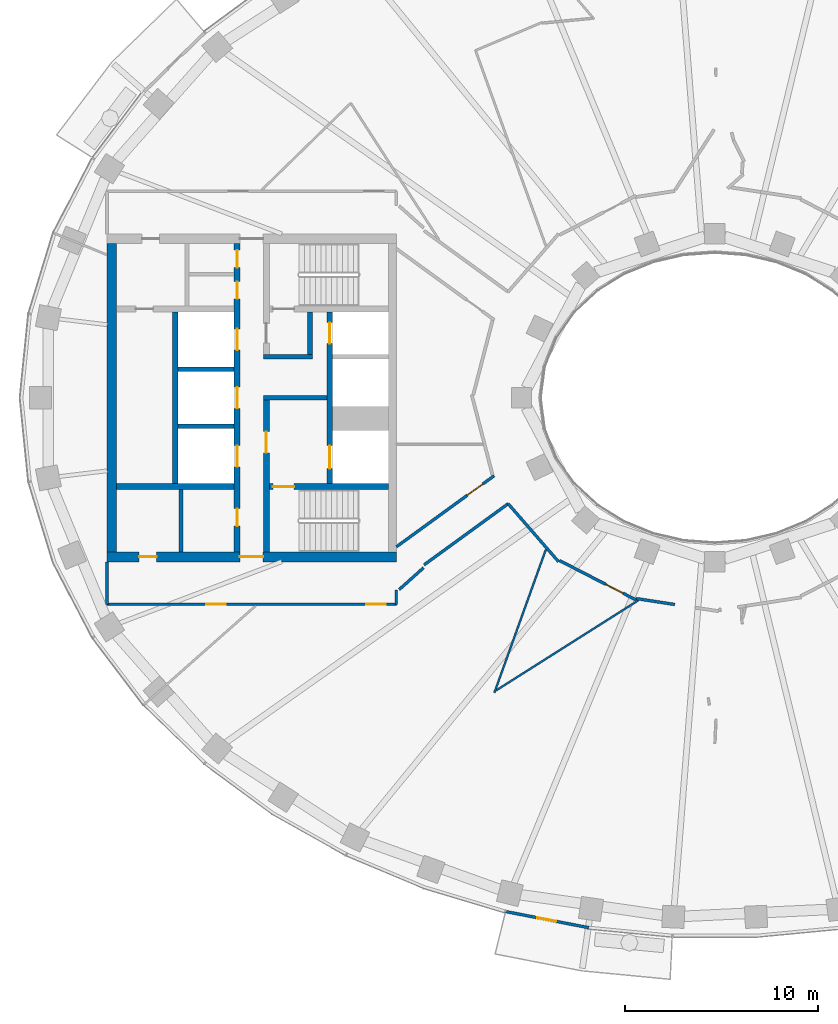
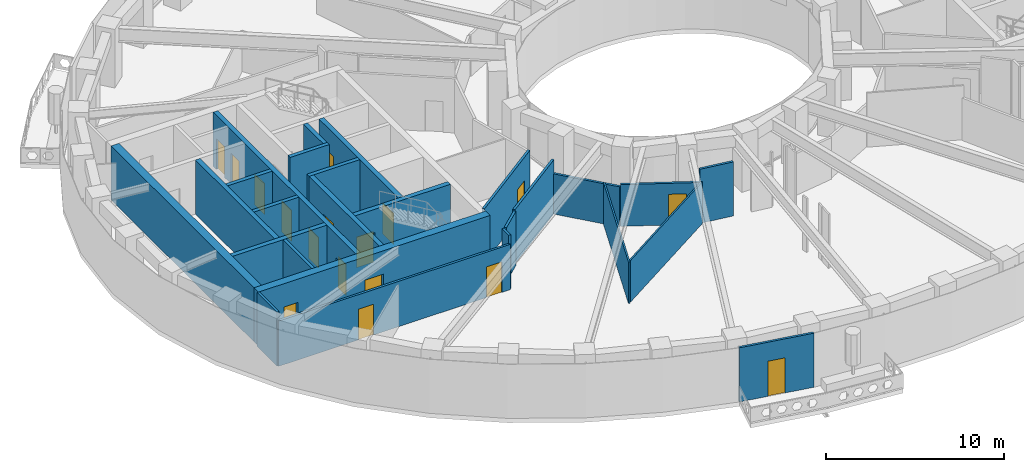
# One storey, part 3 of 17: 26 walls, 17 doors, 17 openings.
"""IFC4 building model written with IfcOpenShell, lengths in metres."""

from ifc_helpers import new_model, si_unit, direction, frame, frame_2d, origin, place, context, subcontext, project, spatial, rectangle, extrude, material, layer, layer_set, type_object, element, fill, save


model = new_model("IFC4")

# Units and contexts
model_context = context("Model", 3, precision=1e-05, world=origin(), true_north=direction((0.0, 1.0)))
body_context = subcontext(model_context, "Body", "Model", "MODEL_VIEW")
ifc_project = project(units=[si_unit("LENGTHUNIT", "METRE"), si_unit("AREAUNIT", "SQUARE_METRE"), si_unit("VOLUMEUNIT", "CUBIC_METRE"), si_unit("PLANEANGLEUNIT", "RADIAN"), si_unit("MASSUNIT", "GRAM", prefix="KILO")], contexts=[model_context])

# Site, building, storey
site_placement = place(None, origin())
site = spatial("IfcSite", under=ifc_project, at=site_placement, CompositionType="ELEMENT")
building_placement = place(site_placement, origin())
building = spatial("IfcBuilding", under=site, at=building_placement, Name="Noorbagh Ring Tower", CompositionType="ELEMENT")
storey_placement = place(building_placement, frame((0.0, 0.0, 190.0)))
storey = spatial("IfcBuildingStorey", under=building, at=storey_placement, Name="L44", CompositionType="ELEMENT", Elevation=190.0)

# Walls
ifc_material_1 = material(Name="Gypsum board on steel studs", Category="steel")
ifc_layer_1 = layer(ifc_material_1, 0.199951171875)
ifc_layer_set_1 = layer_set([ifc_layer_1], Name="Gypsum board on steel studs")
wall_type_1 = type_object("IfcWallType", Name="CORE-PARTITION-200", PredefinedType="PARTITIONING", material=ifc_layer_set_1)
wall_1_placement = place(storey_placement, frame((-27.64990234375, -8.0, 0.0), z_axis=(0.0, 0.0, 1.0), x_axis=(0.0, 1.0, 0.0)))
element("IfcWall", 1, at=wall_1_placement, inside=storey, type_object=wall_type_1, Name="Core partition W", PredefinedType="PARTITIONING", context=body_context, shape_type="SweptSolid", body=[
    extrude(rectangle(XDim=3.25, YDim=0.199951171875, at=frame_2d((1.625, 0.0))), origin(), (0.0, 0.0, 1.0), 3.699951171875),
])
ifc_material_2 = material(Name="Concrete C60/75", Category="concrete")
ifc_layer_2 = layer(ifc_material_2, 0.25)
ifc_layer_set_2 = layer_set([ifc_layer_2], Name="Concrete C60/75")
wall_type_2 = type_object("IfcWallType", Name="CORE-WALL-250-C60-75-EI120", PredefinedType="SHEAR", material=ifc_layer_set_2)
for number, where, z_axis, x_axis, name in (
    (2, (-24.89990234375, -1.47509765625, 0.0), (0.0, 0.0, 1.0), (-1.0, 0.0, 0.0), "Core wall W"),
    (3, (-24.89990234375, 1.47509765625, 0.0), (0.0, 0.0, 1.0), (-1.0, 0.0, 0.0), "Core wall W"),
):
    element("IfcWall", number, at=place(storey_placement, frame(where, z_axis=z_axis, x_axis=x_axis)), inside=storey, type_object=wall_type_2, Name=name, PredefinedType="SHEAR", context=body_context, shape_type="SweptSolid", body=[
        extrude(rectangle(XDim=2.900146484375, YDim=0.25, at=frame_2d((1.4501953125, 0.0))), origin(), (0.0, 0.0, 1.0), 3.699951171875),
    ])
ifc_material_3 = material(Name="Concrete C60/75", Category="concrete")
ifc_layer_3 = layer(ifc_material_3, 0.25)
ifc_layer_set_3 = layer_set([ifc_layer_3], Name="Concrete C60/75")
wall_type_3 = type_object("IfcWallType", Name="CORE-WALL-250-C60-75-EI240", PredefinedType="SHEAR", material=ifc_layer_set_3)
wall_2_placement = place(storey_placement, frame((-20.10009765625, 0.0, 0.0), z_axis=(0.0, 0.0, 1.0), x_axis=(-1.0, 0.0, 0.0)))
element("IfcWall", 4, at=wall_2_placement, inside=storey, type_object=wall_type_3, Name="Core wall W", PredefinedType="SHEAR", context=body_context, shape_type="SweptSolid", body=[
    extrude(rectangle(XDim=3.27978515625, YDim=0.25, at=frame_2d((1.639892578125, 0.0))), origin(), (0.0, 0.0, 1.0), 3.699951171875),
])
wall_3_placement = place(storey_placement, frame((-20.85009765625, 2.125, 0.0), z_axis=(0.0, 0.0, 1.0), x_axis=(-1.0, 0.0, 0.0)))
element("IfcWall", 5, at=wall_3_placement, inside=storey, type_object=wall_type_3, Name="Core wall W", PredefinedType="SHEAR", context=body_context, shape_type="SweptSolid", body=[
    extrude(rectangle(XDim=2.52978515625, YDim=0.25, at=frame_2d((1.264892578125, 0.0))), origin(), (0.0, 0.0, 1.0), 3.699951171875),
])
wall_4_placement = place(storey_placement, frame((-20.97509765625, 2.25, 0.0), z_axis=(0.0, 0.0, 1.0), x_axis=(0.0, 1.0, 0.0)))
element("IfcWall", 6, at=wall_4_placement, inside=storey, type_object=wall_type_3, Name="Core wall W", PredefinedType="SHEAR", context=body_context, shape_type="SweptSolid", body=[
    extrude(rectangle(XDim=2.199951171875, YDim=0.25, at=frame_2d((1.10009765625, 0.0))), origin(), (0.0, 0.0, 1.0), 3.699951171875),
])
ifc_material_4 = material(Name="Concrete C60/75", Category="concrete")
ifc_layer_4 = layer(ifc_material_4, 0.300048828125)
ifc_layer_set_4 = layer_set([ifc_layer_4], Name="Concrete C60/75")
wall_type_4 = type_object("IfcWallType", Name="CORE-WALL-300-C60-75-EI120", PredefinedType="SHEAR", material=ifc_layer_set_4)
wall_5_placement = place(storey_placement, frame((-27.949951171875, -4.449951171875, 0.0), z_axis=(0.0, 0.0, 1.0), x_axis=(0.0, 1.0, 0.0)))
element("IfcWall", 7, at=wall_5_placement, inside=storey, type_object=wall_type_4, Name="Core wall W", PredefinedType="SHEAR", context=body_context, shape_type="SweptSolid", body=[
    extrude(rectangle(XDim=8.89990234375, YDim=0.300048828125, at=frame_2d((4.449951171875, 0.0))), origin(), (0.0, 0.0, 1.0), 3.699951171875),
])

# Wall, openings, doors
wall_6_placement = place(storey_placement, frame((-19.949951171875, -4.449951171875, 0.0), z_axis=(0.0, 0.0, 1.0), x_axis=(0.0, 1.0, 0.0)))
wall_6 = element("IfcWall", 8, at=wall_6_placement, inside=storey, type_object=wall_type_4, Name="Core wall W", PredefinedType="SHEAR", context=body_context, shape_type="SweptSolid", body=[
    extrude(rectangle(XDim=8.89990234375, YDim=0.300048828125, at=frame_2d((4.449951171875, 0.0))), origin(), (0.0, 0.0, 1.0), 3.699951171875),
])
opening_1_placement = place(wall_6_placement, frame((0.77490234375, 0.0, 0.0)))
opening_1 = element("IfcOpeningElement", 9, at=opening_1_placement, cuts=wall_6, Name="Opening L44-CW01", PredefinedType="OPENING", context=body_context, shape_type="SweptSolid", body=[
    extrude(rectangle(XDim=1.199951171875, YDim=2.10009765625, at=frame_2d((0.60009765625, 1.050048828125))), frame((0.0, 0.16015625, 0.0), z_axis=(0.0, -1.0, 0.0), x_axis=(1.0, 0.0, 0.0)), (0.0, 0.0, 1.0), 0.320068359375),
])
opening_2_placement = place(wall_6_placement, frame((7.25, 0.0, 0.0)))
opening_2 = element("IfcOpeningElement", 10, at=opening_2_placement, cuts=wall_6, Name="Opening L44-CW02", PredefinedType="OPENING", context=body_context, shape_type="SweptSolid", body=[
    extrude(rectangle(XDim=1.10009765625, YDim=2.10009765625, at=frame_2d((0.550048828125, 1.050048828125))), frame((0.0, 0.16015625, 0.0), z_axis=(0.0, -1.0, 0.0), x_axis=(1.0, 0.0, 0.0)), (0.0, 0.0, 1.0), 0.320068359375),
])
ifc_material_5 = material(Name="Steel door leaf", Category="steel")
door_type_1 = type_object("IfcDoorType", Name="CORE-DOOR-LD", OperationType="DOUBLE_DOOR_SLIDING", PredefinedType="DOOR", material=ifc_material_5)
door_1_placement = place(opening_2_placement, origin())
door_1 = element("IfcDoor", 11, at=door_1_placement, inside=storey, type_object=door_type_1, Name="Landing door HR1 L44-CW02", OperationType="DOUBLE_DOOR_SLIDING", OverallHeight=2.10009765625, OverallWidth=1.10009765625, PredefinedType="DOOR", context=body_context, shape_type="SweptSolid", body=[
    extrude(rectangle(XDim=1.10009765625, YDim=2.10009765625, at=frame_2d((0.550048828125, 1.050048828125))), frame((0.0, 0.02490234375, 0.0), z_axis=(0.0, -1.0, 0.0), x_axis=(1.0, 0.0, 0.0)), (0.0, 0.0, 1.0), 0.050048828125),
])
fill(opening_2, door_1)
ifc_material_6 = material(Name="Steel door leaf", Category="steel")
door_type_2 = type_object("IfcDoorType", Name="CORE-DOOR-LDW", OperationType="DOUBLE_DOOR_SLIDING", PredefinedType="DOOR", material=ifc_material_6)
door_2_placement = place(opening_1_placement, origin())
door_2 = element("IfcDoor", 12, at=door_2_placement, inside=storey, type_object=door_type_2, Name="Landing door FF1 L44-CW01", OperationType="DOUBLE_DOOR_SLIDING", OverallHeight=2.10009765625, OverallWidth=1.199951171875, PredefinedType="DOOR", context=body_context, shape_type="SweptSolid", body=[
    extrude(rectangle(XDim=1.199951171875, YDim=2.10009765625, at=frame_2d((0.60009765625, 1.050048828125))), frame((0.0, 0.02490234375, 0.0), z_axis=(0.0, -1.0, 0.0), x_axis=(1.0, 0.0, 0.0)), (0.0, 0.0, 1.0), 0.050048828125),
])
fill(opening_1, door_2)

wall_7_placement = place(storey_placement, frame((-24.75, -8.0, 0.0), z_axis=(0.0, 0.0, 1.0), x_axis=(0.0, 1.0, 0.0)))
wall_7 = element("IfcWall", 13, at=wall_7_placement, inside=storey, type_object=wall_type_4, Name="Core wall W", PredefinedType="SHEAR", context=body_context, shape_type="SweptSolid", body=[
    extrude(rectangle(XDim=16.0, YDim=0.300048828125, at=frame_2d((8.0, 0.0))), origin(), (0.0, 0.0, 1.0), 3.699951171875),
])
opening_3_placement = place(wall_7_placement, frame((4.425048828125, 0.0, 0.0)))
opening_3 = element("IfcOpeningElement", 14, at=opening_3_placement, cuts=wall_7, Name="Opening L44-CW03", PredefinedType="OPENING", context=body_context, shape_type="SweptSolid", body=[
    extrude(rectangle(XDim=1.10009765625, YDim=2.10009765625, at=frame_2d((0.550048828125, 1.050048828125))), frame((0.0, 0.16015625, 0.0), z_axis=(0.0, -1.0, 0.0), x_axis=(1.0, 0.0, 0.0)), (0.0, 0.0, 1.0), 0.320068359375),
])
opening_4_placement = place(wall_7_placement, frame((7.449951171875, 0.0, 0.0)))
opening_4 = element("IfcOpeningElement", 15, at=opening_4_placement, cuts=wall_7, Name="Opening L44-CW04", PredefinedType="OPENING", context=body_context, shape_type="SweptSolid", body=[
    extrude(rectangle(XDim=1.10009765625, YDim=2.10009765625, at=frame_2d((0.550048828125, 1.050048828125))), frame((0.0, 0.16015625, 0.0), z_axis=(0.0, -1.0, 0.0), x_axis=(1.0, 0.0, 0.0)), (0.0, 0.0, 1.0), 0.320068359375),
])
opening_5_placement = place(wall_7_placement, frame((10.47509765625, 0.0, 0.0)))
opening_5 = element("IfcOpeningElement", 16, at=opening_5_placement, cuts=wall_7, Name="Opening L44-CW05", PredefinedType="OPENING", context=body_context, shape_type="SweptSolid", body=[
    extrude(rectangle(XDim=1.10009765625, YDim=2.10009765625, at=frame_2d((0.550048828125, 1.050048828125))), frame((0.0, 0.16015625, 0.0), z_axis=(0.0, -1.0, 0.0), x_axis=(1.0, 0.0, 0.0)), (0.0, 0.0, 1.0), 0.320068359375),
])
opening_6_placement = place(wall_7_placement, frame((13.125, 0.0, 0.0)))
opening_6 = element("IfcOpeningElement", 17, at=opening_6_placement, cuts=wall_7, Name="Opening L44-CW12", PredefinedType="OPENING", context=body_context, shape_type="SweptSolid", body=[
    extrude(rectangle(XDim=0.89990234375, YDim=2.10009765625, at=frame_2d((0.449951171875, 1.050048828125))), frame((0.0, 0.16015625, 0.0), z_axis=(0.0, -1.0, 0.0), x_axis=(1.0, 0.0, 0.0)), (0.0, 0.0, 1.0), 0.320068359375),
])
opening_7_placement = place(wall_7_placement, frame((14.75, 0.0, 0.0)))
opening_7 = element("IfcOpeningElement", 18, at=opening_7_placement, cuts=wall_7, Name="Opening L44-CW13", PredefinedType="OPENING", context=body_context, shape_type="SweptSolid", body=[
    extrude(rectangle(XDim=0.89990234375, YDim=2.10009765625, at=frame_2d((0.449951171875, 1.050048828125))), frame((0.0, 0.16015625, 0.0), z_axis=(0.0, -1.0, 0.0), x_axis=(1.0, 0.0, 0.0)), (0.0, 0.0, 1.0), 0.320068359375),
])
opening_8_placement = place(wall_7_placement, frame((1.35009765625, 0.0, 0.0)))
opening_8 = element("IfcOpeningElement", 19, at=opening_8_placement, cuts=wall_7, Name="Opening L44-CW15", PredefinedType="OPENING", context=body_context, shape_type="SweptSolid", body=[
    extrude(rectangle(XDim=0.89990234375, YDim=2.10009765625, at=frame_2d((0.449951171875, 1.050048828125))), frame((0.0, 0.16015625, 0.0), z_axis=(0.0, -1.0, 0.0), x_axis=(1.0, 0.0, 0.0)), (0.0, 0.0, 1.0), 0.320068359375),
])
ifc_material_7 = material(Name="Steel door leaf", Category="steel")
door_type_3 = type_object("IfcDoorType", Name="CORE-DOOR-DROOM", OperationType="SINGLE_SWING_LEFT", PredefinedType="DOOR", material=ifc_material_7)
door_3_placement = place(opening_6_placement, origin())
door_3 = element("IfcDoor", 20, at=door_3_placement, inside=storey, type_object=door_type_3, Name="Core room door L44-CW12", OperationType="SINGLE_SWING_LEFT", OverallHeight=2.10009765625, OverallWidth=0.89990234375, PredefinedType="DOOR", context=body_context, shape_type="SweptSolid", body=[
    extrude(rectangle(XDim=0.89990234375, YDim=2.10009765625, at=frame_2d((0.449951171875, 1.050048828125))), frame((0.0, 0.02490234375, 0.0), z_axis=(0.0, -1.0, 0.0), x_axis=(1.0, 0.0, 0.0)), (0.0, 0.0, 1.0), 0.050048828125),
])
fill(opening_6, door_3)
door_4_placement = place(opening_7_placement, origin())
door_4 = element("IfcDoor", 21, at=door_4_placement, inside=storey, type_object=door_type_3, Name="Core room door L44-CW13", OperationType="SINGLE_SWING_RIGHT", OverallHeight=2.10009765625, OverallWidth=0.89990234375, PredefinedType="DOOR", context=body_context, shape_type="SweptSolid", body=[
    extrude(rectangle(XDim=0.89990234375, YDim=2.10009765625, at=frame_2d((0.449951171875, 1.050048828125))), frame((0.0, 0.02490234375, 0.0), z_axis=(0.0, -1.0, 0.0), x_axis=(1.0, 0.0, 0.0)), (0.0, 0.0, 1.0), 0.050048828125),
])
fill(opening_7, door_4)
door_5_placement = place(opening_8_placement, origin())
door_5 = element("IfcDoor", 22, at=door_5_placement, inside=storey, type_object=door_type_3, Name="Core room door L44-CW15", OperationType="SINGLE_SWING_LEFT", OverallHeight=2.10009765625, OverallWidth=0.89990234375, PredefinedType="DOOR", context=body_context, shape_type="SweptSolid", body=[
    extrude(rectangle(XDim=0.89990234375, YDim=2.10009765625, at=frame_2d((0.449951171875, 1.050048828125))), frame((0.0, 0.02490234375, 0.0), z_axis=(0.0, -1.0, 0.0), x_axis=(1.0, 0.0, 0.0)), (0.0, 0.0, 1.0), 0.050048828125),
])
fill(opening_8, door_5)
door_6_placement = place(opening_3_placement, origin())
door_6 = element("IfcDoor", 23, at=door_6_placement, inside=storey, type_object=door_type_1, Name="Landing door HR2 L44-CW03", OperationType="DOUBLE_DOOR_SLIDING", OverallHeight=2.10009765625, OverallWidth=1.10009765625, PredefinedType="DOOR", context=body_context, shape_type="SweptSolid", body=[
    extrude(rectangle(XDim=1.10009765625, YDim=2.10009765625, at=frame_2d((0.550048828125, 1.050048828125))), frame((0.0, 0.02490234375, 0.0), z_axis=(0.0, -1.0, 0.0), x_axis=(1.0, 0.0, 0.0)), (0.0, 0.0, 1.0), 0.050048828125),
])
fill(opening_3, door_6)
door_7_placement = place(opening_4_placement, origin())
door_7 = element("IfcDoor", 24, at=door_7_placement, inside=storey, type_object=door_type_1, Name="Landing door HR3 L44-CW04", OperationType="DOUBLE_DOOR_SLIDING", OverallHeight=2.10009765625, OverallWidth=1.10009765625, PredefinedType="DOOR", context=body_context, shape_type="SweptSolid", body=[
    extrude(rectangle(XDim=1.10009765625, YDim=2.10009765625, at=frame_2d((0.550048828125, 1.050048828125))), frame((0.0, 0.02490234375, 0.0), z_axis=(0.0, -1.0, 0.0), x_axis=(1.0, 0.0, 0.0)), (0.0, 0.0, 1.0), 0.050048828125),
])
fill(opening_4, door_7)
door_8_placement = place(opening_5_placement, origin())
door_8 = element("IfcDoor", 25, at=door_8_placement, inside=storey, type_object=door_type_1, Name="Landing door HR4 L44-CW05", OperationType="DOUBLE_DOOR_SLIDING", OverallHeight=2.10009765625, OverallWidth=1.10009765625, PredefinedType="DOOR", context=body_context, shape_type="SweptSolid", body=[
    extrude(rectangle(XDim=1.10009765625, YDim=2.10009765625, at=frame_2d((0.550048828125, 1.050048828125))), frame((0.0, 0.02490234375, 0.0), z_axis=(0.0, -1.0, 0.0), x_axis=(1.0, 0.0, 0.0)), (0.0, 0.0, 1.0), 0.050048828125),
])
fill(opening_5, door_8)

# Wall
ifc_material_8 = material(Name="Concrete C60/75", Category="concrete")
ifc_layer_5 = layer(ifc_material_8, 0.300048828125)
ifc_layer_set_5 = layer_set([ifc_layer_5], Name="Concrete C60/75")
wall_type_5 = type_object("IfcWallType", Name="CORE-WALL-300-C60-75-EI240", PredefinedType="SHEAR", material=ifc_layer_set_5)
wall_8_placement = place(storey_placement, frame((-24.89990234375, -4.60009765625, 0.0), z_axis=(0.0, 0.0, 1.0), x_axis=(-1.0, 0.0, 0.0)))
element("IfcWall", 26, at=wall_8_placement, inside=storey, type_object=wall_type_5, Name="Core wall W", PredefinedType="SHEAR", context=body_context, shape_type="SweptSolid", body=[
    extrude(rectangle(XDim=6.10009765625, YDim=0.300048828125, at=frame_2d((3.050048828125, 0.0))), origin(), (0.0, 0.0, 1.0), 3.699951171875),
])

# Wall, opening, door
wall_9_placement = place(storey_placement, frame((-23.22998046875, -8.0, 0.0), z_axis=(0.0, 0.0, 1.0), x_axis=(0.0, 1.0, 0.0)))
wall_9 = element("IfcWall", 27, at=wall_9_placement, inside=storey, type_object=wall_type_5, Name="Core wall W", PredefinedType="SHEAR", context=body_context, shape_type="SweptSolid", body=[
    extrude(rectangle(XDim=7.875, YDim=0.300048828125, at=frame_2d((3.9375, 0.0))), origin(), (0.0, 0.0, 1.0), 3.699951171875),
])
opening_9_placement = place(wall_9_placement, frame((5.14990234375, 0.0, 0.0)))
opening_9 = element("IfcOpeningElement", 28, at=opening_9_placement, cuts=wall_9, Name="Opening L44-CW08", PredefinedType="OPENING", context=body_context, shape_type="SweptSolid", body=[
    extrude(rectangle(XDim=1.10009765625, YDim=2.10009765625, at=frame_2d((0.550048828125, 1.050048828125))), frame((0.0, 0.16015625, 0.0), z_axis=(0.0, -1.0, 0.0), x_axis=(1.0, 0.0, 0.0)), (0.0, 0.0, 1.0), 0.320068359375),
])
ifc_material_9 = material(Name="Steel door leaf", Category="steel")
door_type_4 = type_object("IfcDoorType", Name="CORE-DOOR-DFF", OperationType="SINGLE_SWING_LEFT", PredefinedType="DOOR", material=ifc_material_9)
door_9_placement = place(opening_9_placement, origin())
door_9 = element("IfcDoor", 29, at=door_9_placement, inside=storey, type_object=door_type_4, Name="Firefighting lobby door L44-CW08", OperationType="SINGLE_SWING_LEFT", OverallHeight=2.10009765625, OverallWidth=1.10009765625, PredefinedType="DOOR", context=body_context, shape_type="SweptSolid", body=[
    extrude(rectangle(XDim=1.10009765625, YDim=2.10009765625, at=frame_2d((0.550048828125, 1.050048828125))), frame((0.0, 0.02490234375, 0.0), z_axis=(0.0, -1.0, 0.0), x_axis=(1.0, 0.0, 0.0)), (0.0, 0.0, 1.0), 0.050048828125),
])
fill(opening_9, door_9)

wall_10_placement = place(storey_placement, frame((-16.89990234375, -4.60009765625, 0.0), z_axis=(0.0, 0.0, 1.0), x_axis=(-1.0, 0.0, 0.0)))
wall_10 = element("IfcWall", 30, at=wall_10_placement, inside=storey, type_object=wall_type_5, Name="Core wall W", PredefinedType="SHEAR", context=body_context, shape_type="SweptSolid", body=[
    extrude(rectangle(XDim=6.18017578125, YDim=0.300048828125, at=frame_2d((3.090087890625, 0.0))), origin(), (0.0, 0.0, 1.0), 3.699951171875),
])
opening_10_placement = place(wall_10_placement, frame((4.89990234375, 0.0, 0.0)))
opening_10 = element("IfcOpeningElement", 31, at=opening_10_placement, cuts=wall_10, Name="Opening L44-CW07", PredefinedType="OPENING", context=body_context, shape_type="SweptSolid", body=[
    extrude(rectangle(XDim=1.10009765625, YDim=2.10009765625, at=frame_2d((0.550048828125, 1.050048828125))), frame((0.0, 0.16015625, 0.0), z_axis=(0.0, -1.0, 0.0), x_axis=(1.0, 0.0, 0.0)), (0.0, 0.0, 1.0), 0.320068359375),
])
ifc_material_10 = material(Name="Steel door leaf", Category="steel")
door_type_5 = type_object("IfcDoorType", Name="CORE-DOOR-DSTAIR", OperationType="SINGLE_SWING_LEFT", PredefinedType="DOOR", material=ifc_material_10)
door_10_placement = place(opening_10_placement, origin())
door_10 = element("IfcDoor", 32, at=door_10_placement, inside=storey, type_object=door_type_5, Name="Stair door ST2 L44-CW07", OperationType="SINGLE_SWING_LEFT", OverallHeight=2.10009765625, OverallWidth=1.10009765625, PredefinedType="DOOR", context=body_context, shape_type="SweptSolid", body=[
    extrude(rectangle(XDim=1.10009765625, YDim=2.10009765625, at=frame_2d((0.550048828125, 1.050048828125))), frame((0.0, 0.02490234375, 0.0), z_axis=(0.0, -1.0, 0.0), x_axis=(1.0, 0.0, 0.0)), (0.0, 0.0, 1.0), 0.050048828125),
])
fill(opening_10, door_10)

# Wall, openings, doors
ifc_material_11 = material(Name="Concrete C60/75", Category="concrete")
ifc_layer_6 = layer(ifc_material_11, 0.5)
ifc_layer_set_6 = layer_set([ifc_layer_6], Name="Concrete C60/75")
wall_type_6 = type_object("IfcWallType", Name="CORE-WALL-500-C60-75-EI240", PredefinedType="SHEAR", material=ifc_layer_set_6)
wall_11_placement = place(storey_placement, frame((-16.5, -8.25, 0.0), z_axis=(0.0, 0.0, 1.0), x_axis=(-1.0, 0.0, 0.0)))
wall_11 = element("IfcWall", 33, at=wall_11_placement, inside=storey, type_object=wall_type_6, Name="Core wall W", PredefinedType="SHEAR", context=body_context, shape_type="SweptSolid", body=[
    extrude(rectangle(XDim=15.0, YDim=0.5, at=frame_2d((7.5, 0.0))), origin(), (0.0, 0.0, 1.0), 3.699951171875),
])
opening_11_placement = place(wall_11_placement, frame((6.89990234375, 0.0, 0.0)))
opening_11 = element("IfcOpeningElement", 34, at=opening_11_placement, cuts=wall_11, Name="Opening L44-CW11", PredefinedType="OPENING", context=body_context, shape_type="SweptSolid", body=[
    extrude(rectangle(XDim=1.199951171875, YDim=2.10009765625, at=frame_2d((0.60009765625, 1.050048828125))), frame((0.0, 0.260009765625, 0.0), z_axis=(0.0, -1.0, 0.0), x_axis=(1.0, 0.0, 0.0)), (0.0, 0.0, 1.0), 0.52001953125),
])
opening_12_placement = place(wall_11_placement, frame((12.425048828125, 0.0, 0.0)))
opening_12 = element("IfcOpeningElement", 35, at=opening_12_placement, cuts=wall_11, Name="Opening L44-CW16", PredefinedType="OPENING", context=body_context, shape_type="SweptSolid", body=[
    extrude(rectangle(XDim=0.89990234375, YDim=2.10009765625, at=frame_2d((0.449951171875, 1.050048828125))), frame((0.0, 0.260009765625, 0.0), z_axis=(0.0, -1.0, 0.0), x_axis=(1.0, 0.0, 0.0)), (0.0, 0.0, 1.0), 0.52001953125),
])
door_11_placement = place(opening_12_placement, origin())
door_11 = element("IfcDoor", 36, at=door_11_placement, inside=storey, type_object=door_type_3, Name="Core room door L44-CW16", OperationType="SINGLE_SWING_LEFT", OverallHeight=2.10009765625, OverallWidth=0.89990234375, PredefinedType="DOOR", context=body_context, shape_type="SweptSolid", body=[
    extrude(rectangle(XDim=0.89990234375, YDim=2.10009765625, at=frame_2d((0.449951171875, 1.050048828125))), frame((0.0, 0.02490234375, 0.0), z_axis=(0.0, -1.0, 0.0), x_axis=(1.0, 0.0, 0.0)), (0.0, 0.0, 1.0), 0.050048828125),
])
fill(opening_12, door_11)
ifc_material_12 = material(Name="Steel door leaf", Category="steel")
door_type_6 = type_object("IfcDoorType", Name="CORE-DOOR-PORT", OperationType="DOUBLE_DOOR_DOUBLE_SWING", PredefinedType="DOOR", material=ifc_material_12)
door_12_placement = place(opening_11_placement, origin())
door_12 = element("IfcDoor", 37, at=door_12_placement, inside=storey, type_object=door_type_6, Name="Core entrance door L44-CW11", OperationType="DOUBLE_DOOR_DOUBLE_SWING", OverallHeight=2.10009765625, OverallWidth=1.199951171875, PredefinedType="DOOR", context=body_context, shape_type="SweptSolid", body=[
    extrude(rectangle(XDim=1.199951171875, YDim=2.10009765625, at=frame_2d((0.60009765625, 1.050048828125))), frame((0.0, 0.02490234375, 0.0), z_axis=(0.0, -1.0, 0.0), x_axis=(1.0, 0.0, 0.0)), (0.0, 0.0, 1.0), 0.050048828125),
])
fill(opening_11, door_12)

# Walls
wall_12_placement = place(storey_placement, frame((-31.25, -8.0, 0.0), z_axis=(0.0, 0.0, 1.0), x_axis=(0.0, 1.0, 0.0)))
element("IfcWall", 38, at=wall_12_placement, inside=storey, type_object=wall_type_6, Name="Core wall W", PredefinedType="SHEAR", context=body_context, shape_type="SweptSolid", body=[
    extrude(rectangle(XDim=16.0, YDim=0.5, at=frame_2d((8.0, 0.0))), origin(), (0.0, 0.0, 1.0), 3.699951171875),
])
ifc_material_13 = material(Name="Gypsum board on steel studs", Category="steel")
ifc_layer_7 = layer(ifc_material_13, 0.14990234375)
ifc_layer_set_7 = layer_set([ifc_layer_7], Name="Gypsum board on steel studs")
wall_type_7 = type_object("IfcWallType", Name="CORRIDOR PARTITION 150 EI 30", PredefinedType="PARTITIONING", material=ifc_layer_set_7)
wall_13_placement = place(storey_placement, frame((-31.5, -10.699951171875, 0.0), z_axis=(0.0, 0.0, 1.0), x_axis=(0.0, 1.0, 0.0)))
element("IfcWall", 39, at=wall_13_placement, inside=storey, type_object=wall_type_7, Name="L44/wall/P02", PredefinedType="PARTITIONING", context=body_context, shape_type="SweptSolid", body=[
    extrude(rectangle(XDim=2.199951171875, YDim=0.14990234375, at=frame_2d((1.10009765625, 0.0))), origin(), (0.0, 0.0, 1.0), 3.699951171875),
])

# Wall, openings, doors
wall_14_placement = place(storey_placement, frame((-31.5, -10.699951171875, 0.0), z_axis=(0.0, 0.0, 1.0), x_axis=(1.0, 0.0, 0.0)))
wall_14 = element("IfcWall", 40, at=wall_14_placement, inside=storey, type_object=wall_type_7, Name="L44/wall/P03", PredefinedType="PARTITIONING", context=body_context, shape_type="SweptSolid", body=[
    extrude(rectangle(XDim=15.0, YDim=0.14990234375, at=frame_2d((7.5, 0.0))), origin(), (0.0, 0.0, 1.0), 3.10009765625),
])
opening_13_placement = place(wall_14_placement, frame((5.14990234375, 0.0, 0.0)))
opening_13 = element("IfcOpeningElement", 41, at=opening_13_placement, cuts=wall_14, Name="Opening D1", PredefinedType="OPENING", context=body_context, shape_type="SweptSolid", body=[
    extrude(rectangle(XDim=1.0, YDim=2.10009765625, at=frame_2d((0.5, 1.050048828125))), frame((0.0, 0.0849609375, 0.0), z_axis=(0.0, -1.0, 0.0), x_axis=(1.0, 0.0, 0.0)), (0.0, 0.0, 1.0), 0.169921875),
])
opening_14_placement = place(wall_14_placement, frame((13.447998046875, 0.0, 0.0)))
opening_14 = element("IfcOpeningElement", 42, at=opening_14_placement, cuts=wall_14, Name="Opening D1", PredefinedType="OPENING", context=body_context, shape_type="SweptSolid", body=[
    extrude(rectangle(XDim=1.0, YDim=2.10009765625, at=frame_2d((0.5, 1.050048828125))), frame((0.0, 0.0849609375, 0.0), z_axis=(0.0, -1.0, 0.0), x_axis=(1.0, 0.0, 0.0)), (0.0, 0.0, 1.0), 0.169921875),
])
ifc_material_14 = material(Name="Timber, painted", Category="wood")
door_type_7 = type_object("IfcDoorType", Name="DOOR 1000 X 2100 FD30", OperationType="SINGLE_SWING_LEFT", PredefinedType="DOOR", material=ifc_material_14)
door_13_placement = place(opening_13_placement, origin())
door_13 = element("IfcDoor", 43, at=door_13_placement, inside=storey, type_object=door_type_7, Name="L44-D06", OperationType="SINGLE_SWING_RIGHT", OverallHeight=2.10009765625, OverallWidth=1.0, PredefinedType="DOOR", context=body_context, shape_type="SweptSolid", body=[
    extrude(rectangle(XDim=1.0, YDim=2.10009765625, at=frame_2d((0.5, 1.050048828125))), frame((0.0, 0.02490234375, 0.0), z_axis=(0.0, -1.0, 0.0), x_axis=(1.0, 0.0, 0.0)), (0.0, 0.0, 1.0), 0.050048828125),
])
fill(opening_13, door_13)
door_14_placement = place(opening_14_placement, origin())
door_14 = element("IfcDoor", 44, at=door_14_placement, inside=storey, type_object=door_type_7, Name="L44-D08", OperationType="SINGLE_SWING_RIGHT", OverallHeight=2.10009765625, OverallWidth=1.0, PredefinedType="DOOR", context=body_context, shape_type="SweptSolid", body=[
    extrude(rectangle(XDim=1.0, YDim=2.10009765625, at=frame_2d((0.5, 1.050048828125))), frame((0.0, 0.02490234375, 0.0), z_axis=(0.0, -1.0, 0.0), x_axis=(1.0, 0.0, 0.0)), (0.0, 0.0, 1.0), 0.050048828125),
])
fill(opening_14, door_14)

# Wall
wall_15_placement = place(storey_placement, frame((-16.5, -10.699951171875, 0.0), z_axis=(0.0, 0.0, 1.0), x_axis=(0.0, 1.0, 0.0)))
element("IfcWall", 45, at=wall_15_placement, inside=storey, type_object=wall_type_7, Name="L44/wall/P09", PredefinedType="PARTITIONING", context=body_context, shape_type="SweptSolid", body=[
    extrude(rectangle(XDim=0.73583984375, YDim=0.14990234375, at=frame_2d((0.367919921875, 0.0))), origin(), (0.0, 0.0, 1.0), 3.699951171875),
])

# Wall, opening, door
wall_16_placement = place(storey_placement, frame((-16.5, -7.72705078125, 0.0), z_axis=(0.0, 0.0, 1.0), x_axis=(0.808900994583, 0.587944879188, 0.0)))
wall_16 = element("IfcWall", 46, at=wall_16_placement, inside=storey, type_object=wall_type_7, Name="L44/wall/P12", PredefinedType="PARTITIONING", context=body_context, shape_type="SweptSolid", body=[
    extrude(rectangle(XDim=6.272705078125, YDim=0.14990234375, at=frame_2d((3.13623046875, 0.0))), origin(), (0.0, 0.0, 1.0), 3.699951171875),
])
opening_15_placement = place(wall_16_placement, frame((4.54248046875, 0.0, 0.0)))
opening_15 = element("IfcOpeningElement", 47, at=opening_15_placement, cuts=wall_16, Name="Opening D1", PredefinedType="OPENING", context=body_context, shape_type="SweptSolid", body=[
    extrude(rectangle(XDim=1.0, YDim=2.10009765625, at=frame_2d((0.5, 1.050048828125))), frame((0.0, 0.0849609375, 0.0), z_axis=(0.0, -1.0, 0.0), x_axis=(1.0, 0.0, 0.0)), (0.0, 0.0, 1.0), 0.169921875),
])
door_15_placement = place(opening_15_placement, origin())
door_15 = element("IfcDoor", 48, at=door_15_placement, inside=storey, type_object=door_type_7, Name="L44-D17", OperationType="SINGLE_SWING_LEFT", OverallHeight=2.10009765625, OverallWidth=1.0, PredefinedType="DOOR", context=body_context, shape_type="SweptSolid", body=[
    extrude(rectangle(XDim=1.0, YDim=2.10009765625, at=frame_2d((0.5, 1.050048828125))), frame((0.0, 0.02490234375, 0.0), z_axis=(0.0, -1.0, 0.0), x_axis=(1.0, 0.0, 0.0)), (0.0, 0.0, 1.0), 0.050048828125),
])
fill(opening_15, door_15)

# Walls
wall_17_placement = place(storey_placement, frame((-15.05908203125, -8.657958984375, 0.0), z_axis=(0.0, 0.0, 1.0), x_axis=(0.808838005268, 0.588031530816, 0.0)))
element("IfcWall", 49, at=wall_17_placement, inside=storey, type_object=wall_type_7, Name="L44/wall/P14", PredefinedType="PARTITIONING", context=body_context, shape_type="SweptSolid", body=[
    extrude(rectangle(XDim=5.3857421875, YDim=0.14990234375, at=frame_2d((2.69287109375, 0.0))), origin(), (0.0, 0.0, 1.0), 3.699951171875),
])
wall_18_placement = place(storey_placement, frame((-10.702880859375, -5.490966796875, 0.0), z_axis=(0.0, 0.0, 1.0), x_axis=(0.656266732873, -0.754528975802, 0.0)))
element("IfcWall", 50, at=wall_18_placement, inside=storey, type_object=wall_type_7, Name="L44/wall/P23", PredefinedType="PARTITIONING", context=body_context, shape_type="SweptSolid", body=[
    extrude(rectangle(XDim=3.982666015625, YDim=0.14990234375, at=frame_2d((1.9912109375, 0.0))), origin(), (0.0, 0.0, 1.0), 2.75),
])

# Wall, opening, door
wall_19_placement = place(storey_placement, frame((-8.0419921875, -8.43505859375, 0.0), z_axis=(0.0, 0.0, 1.0), x_axis=(0.88929925529, -0.457325742268, 0.0)))
wall_19 = element("IfcWall", 51, at=wall_19_placement, inside=storey, type_object=wall_type_7, Name="L44/wall/P26", PredefinedType="PARTITIONING", context=body_context, shape_type="SweptSolid", body=[
    extrude(rectangle(XDim=4.458740234375, YDim=0.14990234375, at=frame_2d((2.2294921875, 0.0))), origin(), (0.0, 0.0, 1.0), 2.85009765625),
])
opening_16_placement = place(wall_19_placement, frame((2.697998046875, 0.0, 0.0)))
opening_16 = element("IfcOpeningElement", 52, at=opening_16_placement, cuts=wall_19, Name="Opening D1", PredefinedType="OPENING", context=body_context, shape_type="SweptSolid", body=[
    extrude(rectangle(XDim=1.0, YDim=2.10009765625, at=frame_2d((0.5, 1.050048828125))), frame((0.0, 0.0849609375, 0.0), z_axis=(0.0, -1.0, 0.0), x_axis=(1.0, 0.0, 0.0)), (0.0, 0.0, 1.0), 0.169921875),
])
door_16_placement = place(opening_16_placement, origin())
door_16 = element("IfcDoor", 53, at=door_16_placement, inside=storey, type_object=door_type_7, Name="L44-D10", OperationType="SINGLE_SWING_RIGHT", OverallHeight=2.10009765625, OverallWidth=1.0, PredefinedType="DOOR", context=body_context, shape_type="SweptSolid", body=[
    extrude(rectangle(XDim=1.0, YDim=2.10009765625, at=frame_2d((0.5, 1.050048828125))), frame((0.0, 0.02490234375, 0.0), z_axis=(0.0, -1.0, 0.0), x_axis=(1.0, 0.0, 0.0)), (0.0, 0.0, 1.0), 0.050048828125),
])
fill(opening_16, door_16)

# Walls
wall_20_placement = place(storey_placement, frame((-4.055908203125, -10.407958984375, 0.0), z_axis=(0.0, 0.0, 1.0), x_axis=(0.988437567576, -0.151628410943, 0.0)))
element("IfcWall", 54, at=wall_20_placement, inside=storey, type_object=wall_type_7, Name="L44/wall/P28", PredefinedType="PARTITIONING", context=body_context, shape_type="SweptSolid", body=[
    extrude(rectangle(XDim=2.010986328125, YDim=0.14990234375, at=frame_2d((1.00537109375, 0.0))), origin(), (0.0, 0.0, 1.0), 3.699951171875),
])
wall_21_placement = place(storey_placement, frame((-15.083984375, -8.805908203125, 0.0), z_axis=(0.0, 0.0, 1.0), x_axis=(-0.744832366149, -0.667251636444, 0.0)))
element("IfcWall", 55, at=wall_21_placement, inside=storey, type_object=wall_type_7, Name="L44/wall/P88", PredefinedType="PARTITIONING", context=body_context, shape_type="SweptSolid", body=[
    extrude(rectangle(XDim=1.702392578125, YDim=0.14990234375, at=frame_2d((0.85107421875, 0.0))), origin(), (0.0, 0.0, 1.0), 3.699951171875),
])

# Wall, opening, door
ifc_material_15 = material(Name="Insulated aluminium clad panel", Category="aluminium")
ifc_layer_8 = layer(ifc_material_15, 0.14990234375)
ifc_layer_set_8 = layer_set([ifc_layer_8], Name="Insulated aluminium clad panel")
wall_type_8 = type_object("IfcWallType", Name="ENV-WALL-DOOR", PredefinedType="STANDARD", material=ifc_layer_set_8)
wall_22_placement = place(storey_placement, frame((-10.87060546875, -26.616943359375, 0.0), z_axis=(0.0, 0.0, 1.0), x_axis=(0.981631174778, -0.190788460615, 0.0)))
wall_22 = element("IfcWall", 56, at=wall_22_placement, inside=storey, type_object=wall_type_8, Name="Balcony door wall chord 33", PredefinedType="STANDARD", context=body_context, shape_type="SweptSolid", body=[
    extrude(rectangle(XDim=4.42626953125, YDim=0.14990234375, at=frame_2d((2.213134765625, 0.0))), origin(), (0.0, 0.0, 1.0), 3.699951171875),
])
opening_17_placement = place(wall_22_placement, frame((1.713134765625, 0.0, 0.0)))
opening_17 = element("IfcOpeningElement", 57, at=opening_17_placement, cuts=wall_22, Name="Opening D-BL", PredefinedType="OPENING", context=body_context, shape_type="SweptSolid", body=[
    extrude(rectangle(XDim=1.0, YDim=2.39990234375, at=frame_2d((0.5, 1.199951171875))), frame((0.0, 0.0849609375, 0.0), z_axis=(0.0, -1.0, 0.0), x_axis=(1.0, 0.0, 0.0)), (0.0, 0.0, 1.0), 0.169921875),
])
ifc_material_16 = material(Name="Aluminium and glass", Category="aluminium")
door_type_8 = type_object("IfcDoorType", Name="ENV-DOOR-BALCONY", OperationType="SINGLE_SWING_LEFT", PredefinedType="DOOR", material=ifc_material_16)
door_17_placement = place(opening_17_placement, origin())
door_17 = element("IfcDoor", 58, at=door_17_placement, inside=storey, type_object=door_type_8, Name="Balcony door chord 33", OperationType="SINGLE_SWING_LEFT", OverallHeight=2.39990234375, OverallWidth=1.0, PredefinedType="DOOR", context=body_context, shape_type="SweptSolid", body=[
    extrude(rectangle(XDim=1.0, YDim=2.39990234375, at=frame_2d((0.5, 1.199951171875))), frame((0.0, 0.02490234375, 0.0), z_axis=(0.0, -1.0, 0.0), x_axis=(1.0, 0.0, 0.0)), (0.0, 0.0, 1.0), 0.050048828125),
])
fill(opening_17, door_17)

# Walls
ifc_material_17 = material(Name="Gypsum board on steel studs", Category="steel")
ifc_layer_9 = layer(ifc_material_17, 0.10009765625)
ifc_layer_set_9 = layer_set([ifc_layer_9], Name="Gypsum board on steel studs")
wall_type_9 = type_object("IfcWallType", Name="PARTITION 100 GYPSUM", PredefinedType="PARTITIONING", material=ifc_layer_set_9)
wall_23_placement = place(storey_placement, frame((-11.416015625, -15.281982421875, 0.0), z_axis=(0.0, 0.0, 1.0), x_axis=(0.338341338167, 0.941023452889, 0.0)))
element("IfcWall", 59, at=wall_23_placement, inside=storey, type_object=wall_type_9, Name="L44/wall/P21", PredefinedType="PARTITIONING", context=body_context, shape_type="SweptSolid", body=[
    extrude(rectangle(XDim=7.888427734375, YDim=0.10009765625, at=frame_2d((3.9443359375, 0.0))), origin(), (0.0, 0.0, 1.0), 2.85009765625),
])
wall_24_placement = place(storey_placement, frame((-11.319091796875, -15.160888671875, 0.0), z_axis=(0.0, 0.0, 1.0), x_axis=(0.844832168381, 0.53503140774, 0.0)))
element("IfcWall", 60, at=wall_24_placement, inside=storey, type_object=wall_type_9, Name="L44/wall/P22", PredefinedType="PARTITIONING", context=body_context, shape_type="SweptSolid", body=[
    extrude(rectangle(XDim=8.709716796875, YDim=0.10009765625, at=frame_2d((4.35498046875, 0.0))), origin(), (0.0, 0.0, 1.0), 2.85009765625),
])

save(model, "model.ifc")
